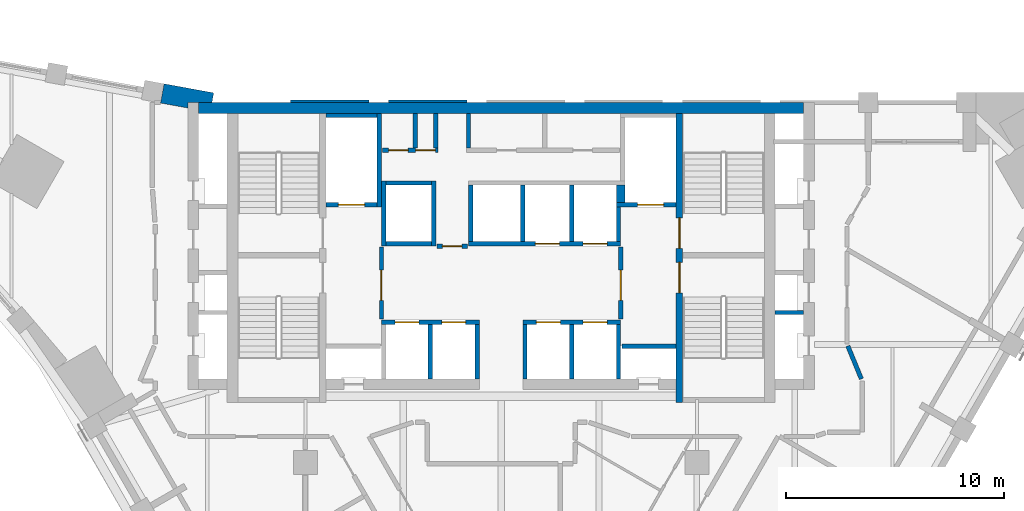
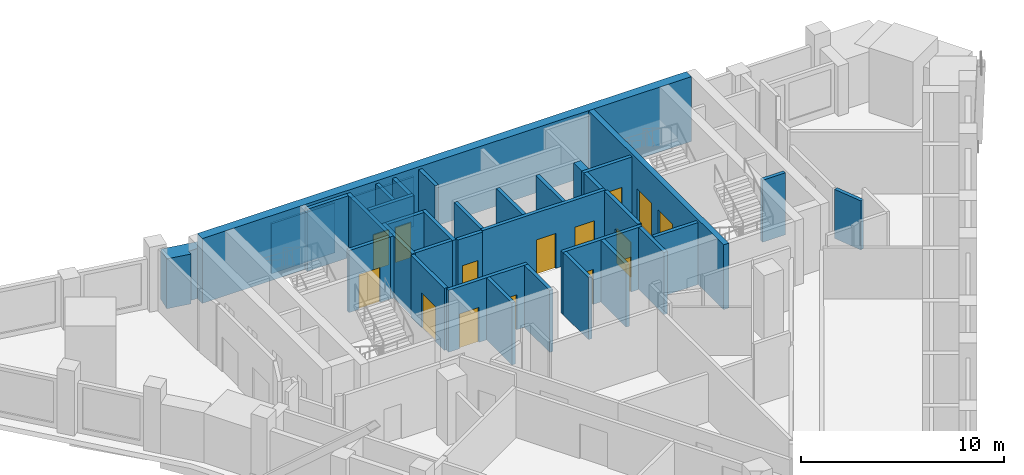
# One storey, part 6 of 9: 36 walls, 15 doors, 15 openings.
"""IFC4 building model written with IfcOpenShell, lengths in metres."""

from ifc_helpers import new_model, si_unit, direction, frame, frame_2d, origin, place, context, subcontext, project, spatial, polyline, rectangle, outline, extrude, material, layer, layer_set, type_object, element, fill, save


model = new_model("IFC4")

# Units and contexts
model_context = context("Model", 3, precision=1e-05, world=origin(), true_north=direction((0.0, 1.0)))
body_context = subcontext(model_context, "Body", "Model", "MODEL_VIEW")
ifc_project = project(units=[si_unit("LENGTHUNIT", "METRE"), si_unit("AREAUNIT", "SQUARE_METRE"), si_unit("VOLUMEUNIT", "CUBIC_METRE"), si_unit("PLANEANGLEUNIT", "RADIAN"), si_unit("MASSUNIT", "GRAM", prefix="KILO")], contexts=[model_context])

# Site, building, storey
site_placement = place(None, origin())
site = spatial("IfcSite", under=ifc_project, at=site_placement, CompositionType="ELEMENT")
building_placement = place(site_placement, origin())
building = spatial("IfcBuilding", under=site, at=building_placement, Name="Calabash Gate Tower", CompositionType="ELEMENT")
storey_placement = place(building_placement, frame((0.0, 0.0, 196.39990234375)))
storey = spatial("IfcBuildingStorey", under=building, at=storey_placement, Name="L46", CompositionType="ELEMENT", Elevation=196.39990234375)

# Walls
ifc_material_1 = material(Name="Terracotta brick masonry, exposed face", Category="masonry")
ifc_layer_1 = layer(ifc_material_1, 0.89990234375)
ifc_layer_set_1 = layer_set([ifc_layer_1], Name="Brick end wall 900")
wall_type_1 = type_object("IfcWallType", Name="Brick end wall 900", PredefinedType="SOLIDWALL", material=ifc_layer_set_1)
wall_1_placement = place(storey_placement, origin())
element("IfcWall", 1, at=wall_1_placement, inside=storey, type_object=wall_type_1, Name="Brick end wall S13 1", PredefinedType="SOLIDWALL", context=body_context, shape_type="SweptSolid", body=[
    extrude(outline(polyline([(-15.651611328125, 19.02734375), (-15.65185546875, 19.027099609375), (-14.39990234375, 18.798095703125), (-14.39990234375, 19.052490234375), (-13.291015625, 19.052490234375), (-13.2099609375, 19.4951171875), (-15.489501953125, 19.912353515625), (-15.6513671875, 19.02734375), (-15.651611328125, 19.02734375)])), origin(), (0.0, 0.0, 1.0), 3.0),
])
ifc_material_2 = material(Name="Gypsum board on steel studs, mineral wool", Category="steel")
ifc_layer_2 = layer(ifc_material_2, 0.199951171875)
ifc_layer_set_2 = layer_set([ifc_layer_2], Name="Core partition 200 gypsum board")
wall_type_2 = type_object("IfcWallType", Name="Core partition 200 gypsum board", PredefinedType="PARTITIONING", material=ifc_layer_set_2)
for number, where, z_axis, x_axis, name in (
    (2, (-3.949951171875, 16.95263671875, 0.0), (0.0, 0.0, 1.0), (0.0, 1.0, 0.0), "Core partition"),
    (3, (-3.0, 16.95263671875, 0.0), (0.0, 0.0, 1.0), (0.0, 1.0, 0.0), "Core partition"),
    (4, (-1.5, 16.95263671875, 0.0), (0.0, 0.0, 1.0), (0.0, 1.0, 0.0), "Core partition"),
):
    element("IfcWall", number, at=place(storey_placement, frame(where, z_axis=z_axis, x_axis=x_axis)), inside=storey, type_object=wall_type_2, Name=name, PredefinedType="PARTITIONING", context=body_context, shape_type="SweptSolid", body=[
        extrude(rectangle(XDim=1.599853515625, YDim=0.199951171875, at=frame_2d((0.7998046875, 0.0))), origin(), (0.0, 0.0, 1.0), 3.72998046875),
    ])

# Wall, openings, doors
ifc_material_3 = material(Name="Concrete C70/85", Category="concrete")
ifc_layer_3 = layer(ifc_material_3, 0.300048828125)
ifc_layer_set_3 = layer_set([ifc_layer_3], Name="Core wall 300 Concrete C70/85")
wall_type_3 = type_object("IfcWallType", Name="Core wall 300 Concrete C70/85", PredefinedType="SHEAR", material=ifc_layer_set_3)
wall_2_placement = place(storey_placement, frame((8.199951171875, 5.252685546875, 0.0), z_axis=(0.0, 0.0, 1.0), x_axis=(0.0, 1.0, 0.0)))
wall_2 = element("IfcWall", 5, at=wall_2_placement, inside=storey, type_object=wall_type_3, Name="Core wall Z4-PARTE L46", PredefinedType="SHEAR", context=body_context, shape_type="SweptSolid", body=[
    extrude(rectangle(XDim=13.2998046875, YDim=0.300048828125, at=frame_2d((6.64990234375, 0.0))), origin(), (0.0, 0.0, 1.0), 3.900146484375),
])
opening_1_placement = place(wall_2_placement, frame((7.10009765625, 0.0, 0.0)))
opening_1 = element("IfcOpeningElement", 6, at=opening_1_placement, cuts=wall_2, Name="Opening O5-020", PredefinedType="OPENING", context=body_context, shape_type="SweptSolid", body=[
    extrude(rectangle(XDim=1.39990234375, YDim=2.10009765625, at=frame_2d((0.699951171875, 1.050048828125))), frame((0.0, 0.159912109375, 0.0), z_axis=(0.0, -1.0, 0.0), x_axis=(1.0, 0.0, 0.0)), (0.0, 0.0, 1.0), 0.320068359375),
])
opening_2_placement = place(wall_2_placement, frame((5.050048828125, 0.0, 0.0)))
opening_2 = element("IfcOpeningElement", 7, at=opening_2_placement, cuts=wall_2, Name="Opening O5-021", PredefinedType="OPENING", context=body_context, shape_type="SweptSolid", body=[
    extrude(rectangle(XDim=1.39990234375, YDim=2.10009765625, at=frame_2d((0.699951171875, 1.050048828125))), frame((0.0, 0.159912109375, 0.0), z_axis=(0.0, -1.0, 0.0), x_axis=(1.0, 0.0, 0.0)), (0.0, 0.0, 1.0), 0.320068359375),
])
ifc_material_4 = material(Name="Steel fire door set with fire-resisting glazing", Category="steel")
door_type_1 = type_object("IfcDoorType", Name="Fire door D05 1400x2100 FD90", OperationType="NOTDEFINED", PredefinedType="DOOR", material=ifc_material_4)
door_1_placement = place(opening_1_placement, origin())
door_1 = element("IfcDoor", 8, at=door_1_placement, inside=storey, type_object=door_type_1, Name="Exit stair door ST3", OperationType="SINGLE_SWING_RIGHT", OverallHeight=2.10009765625, OverallWidth=1.39990234375, PredefinedType="DOOR", context=body_context, shape_type="SweptSolid", body=[
    extrude(rectangle(XDim=1.39990234375, YDim=2.10009765625, at=frame_2d((0.699951171875, 1.050048828125))), frame((0.0, 0.02490234375, 0.0), z_axis=(0.0, -1.0, 0.0), x_axis=(1.0, 0.0, 0.0)), (0.0, 0.0, 1.0), 0.050048828125),
])
fill(opening_1, door_1)
door_2_placement = place(opening_2_placement, origin())
door_2 = element("IfcDoor", 9, at=door_2_placement, inside=storey, type_object=door_type_1, Name="Exit stair door ST4", OperationType="SINGLE_SWING_LEFT", OverallHeight=2.10009765625, OverallWidth=1.39990234375, PredefinedType="DOOR", context=body_context, shape_type="SweptSolid", body=[
    extrude(rectangle(XDim=1.39990234375, YDim=2.10009765625, at=frame_2d((0.699951171875, 1.050048828125))), frame((0.0, 0.02490234375, 0.0), z_axis=(0.0, -1.0, 0.0), x_axis=(1.0, 0.0, 0.0)), (0.0, 0.0, 1.0), 0.050048828125),
])
fill(opening_2, door_2)

# Walls
ifc_material_5 = material(Name="Concrete C70/85", Category="concrete")
ifc_layer_4 = layer(ifc_material_5, 0.5)
ifc_layer_set_4 = layer_set([ifc_layer_4], Name="Core wall 500 Concrete C70/85")
wall_type_4 = type_object("IfcWallType", Name="Core wall 500 Concrete C70/85", PredefinedType="SHEAR", material=ifc_layer_set_4)
wall_3_placement = place(storey_placement, frame((-13.89990234375, 18.802490234375, 0.0), z_axis=(0.0, 0.0, 1.0), x_axis=(1.0, 0.0, 0.0)))
element("IfcWall", 10, at=wall_3_placement, inside=storey, type_object=wall_type_4, Name="Core wall Z4-N L46", PredefinedType="SHEAR", context=body_context, shape_type="SweptSolid", body=[
    extrude(rectangle(XDim=27.7998046875, YDim=0.5, at=frame_2d((13.89990234375, 0.0))), origin(), (0.0, 0.0, 1.0), 3.900146484375),
])
ifc_material_6 = material(Name="Gypsum board on steel studs, mineral wool", Category="steel")
ifc_layer_5 = layer(ifc_material_6, 0.199951171875)
ifc_layer_set_5 = layer_set([ifc_layer_5], Name="Partition 200 gypsum board EI 60")
wall_type_5 = type_object("IfcWallType", Name="Partition 200 gypsum board EI 60", PredefinedType="PARTITIONING", material=ifc_layer_set_5)
wall_4_placement = place(storey_placement, frame((15.938720703125, 7.860107421875, 0.0), z_axis=(0.0, 0.0, 1.0), x_axis=(0.380749805254, -0.924678098475, 0.0)))
element("IfcWall", 11, at=wall_4_placement, inside=storey, type_object=wall_type_5, Name="Partition", PredefinedType="PARTITIONING", context=body_context, shape_type="SweptSolid", body=[
    extrude(rectangle(XDim=1.63818359375, YDim=0.199951171875, at=frame_2d((0.819091796875, 0.0))), origin(), (0.0, 0.0, 1.0), 2.9501953125),
])
ifc_material_7 = material(Name="Concrete C40/50", Category="concrete")
ifc_layer_6 = layer(ifc_material_7, 0.199951171875)
ifc_layer_set_6 = layer_set([ifc_layer_6], Name="Shaft wall 200 Concrete C40/50")
wall_type_6 = type_object("IfcWallType", Name="Shaft wall 200 Concrete C40/50", PredefinedType="SOLIDWALL", material=ifc_layer_set_6)
for number, where, z_axis, x_axis, name in (
    (12, (-3.25, 6.3525390625, 0.0), (0.0, 0.0, 1.0), (0.0, 1.0, 0.0), "Shaft wall"),
    (13, (-1.10009765625, 6.3525390625, 0.0), (0.0, 0.0, 1.0), (0.0, 1.0, 0.0), "Shaft wall"),
    (14, (1.10009765625, 6.3525390625, 0.0), (0.0, 0.0, 1.0), (0.0, 1.0, 0.0), "Shaft wall"),
    (15, (3.25, 6.3525390625, 0.0), (0.0, 0.0, 1.0), (0.0, 1.0, 0.0), "Shaft wall"),
    (16, (5.39990234375, 6.3525390625, 0.0), (0.0, 0.0, 1.0), (0.0, 1.0, 0.0), "Shaft wall"),
    (17, (5.550048828125, 7.8525390625, 0.0), (0.0, 0.0, 1.0), (1.0, 0.0, 0.0), "Shaft wall"),
):
    element("IfcWall", number, at=place(storey_placement, frame(where, z_axis=z_axis, x_axis=x_axis)), inside=storey, type_object=wall_type_6, Name=name, PredefinedType="SOLIDWALL", context=body_context, shape_type="SweptSolid", body=[
        extrude(rectangle(XDim=2.5, YDim=0.199951171875, at=frame_2d((1.25, 0.0))), origin(), (0.0, 0.0, 1.0), 3.72998046875),
    ])

# Wall, openings, doors
wall_5_placement = place(storey_placement, frame((-5.5, 8.95263671875, 0.0), z_axis=(0.0, 0.0, 1.0), x_axis=(1.0, 0.0, 0.0)))
wall_5 = element("IfcWall", 18, at=wall_5_placement, inside=storey, type_object=wall_type_6, Name="Shaft wall", PredefinedType="SOLIDWALL", context=body_context, shape_type="SweptSolid", body=[
    extrude(rectangle(XDim=4.5, YDim=0.199951171875, at=frame_2d((2.25, 0.0))), origin(), (0.0, 0.0, 1.0), 3.72998046875),
])
opening_3_placement = place(wall_5_placement, frame((0.625, 0.0, 0.0)))
opening_3 = element("IfcOpeningElement", 19, at=opening_3_placement, cuts=wall_5, Name="Opening LD-HR1", PredefinedType="OPENING", context=body_context, shape_type="SweptSolid", body=[
    extrude(rectangle(XDim=1.10009765625, YDim=2.10009765625, at=frame_2d((0.550048828125, 1.050048828125))), frame((0.0, 0.10986328125, 0.0), z_axis=(0.0, -1.0, 0.0), x_axis=(1.0, 0.0, 0.0)), (0.0, 0.0, 1.0), 0.219970703125),
])
opening_4_placement = place(wall_5_placement, frame((2.77490234375, 0.0, 0.0)))
opening_4 = element("IfcOpeningElement", 20, at=opening_4_placement, cuts=wall_5, Name="Opening LD-HR2", PredefinedType="OPENING", context=body_context, shape_type="SweptSolid", body=[
    extrude(rectangle(XDim=1.10009765625, YDim=2.10009765625, at=frame_2d((0.550048828125, 1.050048828125))), frame((0.0, 0.10986328125, 0.0), z_axis=(0.0, -1.0, 0.0), x_axis=(1.0, 0.0, 0.0)), (0.0, 0.0, 1.0), 0.219970703125),
])
ifc_material_8 = material(Name="Stainless steel sliding door leaves", Category="steel")
door_type_2 = type_object("IfcDoorType", Name="Lift landing door LS1 1100x2100 FD90", OperationType="DOUBLE_DOOR_SLIDING", PredefinedType="DOOR", material=ifc_material_8)
door_3_placement = place(opening_3_placement, origin())
door_3 = element("IfcDoor", 21, at=door_3_placement, inside=storey, type_object=door_type_2, Name="Lift landing door HR1", OperationType="DOUBLE_DOOR_SLIDING", OverallHeight=2.10009765625, OverallWidth=1.10009765625, PredefinedType="DOOR", context=body_context, shape_type="SweptSolid", body=[
    extrude(rectangle(XDim=1.10009765625, YDim=2.10009765625, at=frame_2d((0.550048828125, 1.050048828125))), frame((0.0, 0.02490234375, 0.0), z_axis=(0.0, -1.0, 0.0), x_axis=(1.0, 0.0, 0.0)), (0.0, 0.0, 1.0), 0.050048828125),
])
fill(opening_3, door_3)
door_4_placement = place(opening_4_placement, origin())
door_4 = element("IfcDoor", 22, at=door_4_placement, inside=storey, type_object=door_type_2, Name="Lift landing door HR2", OperationType="DOUBLE_DOOR_SLIDING", OverallHeight=2.10009765625, OverallWidth=1.10009765625, PredefinedType="DOOR", context=body_context, shape_type="SweptSolid", body=[
    extrude(rectangle(XDim=1.10009765625, YDim=2.10009765625, at=frame_2d((0.550048828125, 1.050048828125))), frame((0.0, 0.02490234375, 0.0), z_axis=(0.0, -1.0, 0.0), x_axis=(1.0, 0.0, 0.0)), (0.0, 0.0, 1.0), 0.050048828125),
])
fill(opening_4, door_4)

wall_6_placement = place(storey_placement, frame((1.0, 8.95263671875, 0.0), z_axis=(0.0, 0.0, 1.0), x_axis=(1.0, 0.0, 0.0)))
wall_6 = element("IfcWall", 23, at=wall_6_placement, inside=storey, type_object=wall_type_6, Name="Shaft wall", PredefinedType="SOLIDWALL", context=body_context, shape_type="SweptSolid", body=[
    extrude(rectangle(XDim=4.5, YDim=0.199951171875, at=frame_2d((2.25, 0.0))), origin(), (0.0, 0.0, 1.0), 3.72998046875),
])
opening_5_placement = place(wall_6_placement, frame((0.625, 0.0, 0.0)))
opening_5 = element("IfcOpeningElement", 24, at=opening_5_placement, cuts=wall_6, Name="Opening LD-HR3", PredefinedType="OPENING", context=body_context, shape_type="SweptSolid", body=[
    extrude(rectangle(XDim=1.10009765625, YDim=2.10009765625, at=frame_2d((0.550048828125, 1.050048828125))), frame((0.0, 0.10986328125, 0.0), z_axis=(0.0, -1.0, 0.0), x_axis=(1.0, 0.0, 0.0)), (0.0, 0.0, 1.0), 0.219970703125),
])
opening_6_placement = place(wall_6_placement, frame((2.77490234375, 0.0, 0.0)))
opening_6 = element("IfcOpeningElement", 25, at=opening_6_placement, cuts=wall_6, Name="Opening LD-HR4", PredefinedType="OPENING", context=body_context, shape_type="SweptSolid", body=[
    extrude(rectangle(XDim=1.10009765625, YDim=2.10009765625, at=frame_2d((0.550048828125, 1.050048828125))), frame((0.0, 0.10986328125, 0.0), z_axis=(0.0, -1.0, 0.0), x_axis=(1.0, 0.0, 0.0)), (0.0, 0.0, 1.0), 0.219970703125),
])
door_5_placement = place(opening_5_placement, origin())
door_5 = element("IfcDoor", 26, at=door_5_placement, inside=storey, type_object=door_type_2, Name="Lift landing door HR3", OperationType="DOUBLE_DOOR_SLIDING", OverallHeight=2.10009765625, OverallWidth=1.10009765625, PredefinedType="DOOR", context=body_context, shape_type="SweptSolid", body=[
    extrude(rectangle(XDim=1.10009765625, YDim=2.10009765625, at=frame_2d((0.550048828125, 1.050048828125))), frame((0.0, 0.02490234375, 0.0), z_axis=(0.0, -1.0, 0.0), x_axis=(1.0, 0.0, 0.0)), (0.0, 0.0, 1.0), 0.050048828125),
])
fill(opening_5, door_5)
door_6_placement = place(opening_6_placement, origin())
door_6 = element("IfcDoor", 27, at=door_6_placement, inside=storey, type_object=door_type_2, Name="Lift landing door HR4", OperationType="DOUBLE_DOOR_SLIDING", OverallHeight=2.10009765625, OverallWidth=1.10009765625, PredefinedType="DOOR", context=body_context, shape_type="SweptSolid", body=[
    extrude(rectangle(XDim=1.10009765625, YDim=2.10009765625, at=frame_2d((0.550048828125, 1.050048828125))), frame((0.0, 0.02490234375, 0.0), z_axis=(0.0, -1.0, 0.0), x_axis=(1.0, 0.0, 0.0)), (0.0, 0.0, 1.0), 0.050048828125),
])
fill(opening_6, door_6)

# Wall, opening, door
wall_7_placement = place(storey_placement, frame((-5.5, 9.1025390625, 0.0), z_axis=(0.0, 0.0, 1.0), x_axis=(0.0, 1.0, 0.0)))
wall_7 = element("IfcWall", 28, at=wall_7_placement, inside=storey, type_object=wall_type_6, Name="Shaft wall", PredefinedType="SOLIDWALL", context=body_context, shape_type="SweptSolid", body=[
    extrude(rectangle(XDim=3.300048828125, YDim=0.199951171875, at=frame_2d((1.64990234375, 0.0))), origin(), (0.0, 0.0, 1.0), 3.72998046875),
])
opening_7_placement = place(wall_7_placement, frame((0.85009765625, 0.0, 0.0)))
opening_7 = element("IfcOpeningElement", 29, at=opening_7_placement, cuts=wall_7, Name="Opening O5-011", PredefinedType="OPENING", context=body_context, shape_type="SweptSolid", body=[
    extrude(rectangle(XDim=1.39990234375, YDim=2.10009765625, at=frame_2d((0.699951171875, 1.050048828125))), frame((0.0, 0.10986328125, 0.0), z_axis=(0.0, -1.0, 0.0), x_axis=(1.0, 0.0, 0.0)), (0.0, 0.0, 1.0), 0.219970703125),
])
door_7_placement = place(opening_7_placement, origin())
door_7 = element("IfcDoor", 30, at=door_7_placement, inside=storey, type_object=door_type_1, Name="Firefighting Lobby W door", OperationType="SINGLE_SWING_RIGHT", OverallHeight=2.10009765625, OverallWidth=1.39990234375, PredefinedType="DOOR", context=body_context, shape_type="SweptSolid", body=[
    extrude(rectangle(XDim=1.39990234375, YDim=2.10009765625, at=frame_2d((0.699951171875, 1.050048828125))), frame((0.0, 0.02490234375, 0.0), z_axis=(0.0, -1.0, 0.0), x_axis=(1.0, 0.0, 0.0)), (0.0, 0.0, 1.0), 0.050048828125),
])
fill(opening_7, door_7)

wall_8_placement = place(storey_placement, frame((5.5, 9.1025390625, 0.0), z_axis=(0.0, 0.0, 1.0), x_axis=(0.0, 1.0, 0.0)))
wall_8 = element("IfcWall", 31, at=wall_8_placement, inside=storey, type_object=wall_type_6, Name="Shaft wall", PredefinedType="SOLIDWALL", context=body_context, shape_type="SweptSolid", body=[
    extrude(rectangle(XDim=3.300048828125, YDim=0.199951171875, at=frame_2d((1.64990234375, 0.0))), origin(), (0.0, 0.0, 1.0), 3.72998046875),
])
opening_8_placement = place(wall_8_placement, frame((0.85009765625, 0.0, 0.0)))
opening_8 = element("IfcOpeningElement", 32, at=opening_8_placement, cuts=wall_8, Name="Opening O5-010", PredefinedType="OPENING", context=body_context, shape_type="SweptSolid", body=[
    extrude(rectangle(XDim=1.39990234375, YDim=2.10009765625, at=frame_2d((0.699951171875, 1.050048828125))), frame((0.0, 0.10986328125, 0.0), z_axis=(0.0, -1.0, 0.0), x_axis=(1.0, 0.0, 0.0)), (0.0, 0.0, 1.0), 0.219970703125),
])
door_8_placement = place(opening_8_placement, origin())
door_8 = element("IfcDoor", 33, at=door_8_placement, inside=storey, type_object=door_type_1, Name="Firefighting Lobby E door", OperationType="SINGLE_SWING_LEFT", OverallHeight=2.10009765625, OverallWidth=1.39990234375, PredefinedType="DOOR", context=body_context, shape_type="SweptSolid", body=[
    extrude(rectangle(XDim=1.39990234375, YDim=2.10009765625, at=frame_2d((0.699951171875, 1.050048828125))), frame((0.0, 0.02490234375, 0.0), z_axis=(0.0, -1.0, 0.0), x_axis=(1.0, 0.0, 0.0)), (0.0, 0.0, 1.0), 0.050048828125),
])
fill(opening_8, door_8)

# Wall
wall_9_placement = place(storey_placement, frame((12.60009765625, 9.402587890625, 0.0), z_axis=(0.0, 0.0, 1.0), x_axis=(1.0, 0.0, 0.0)))
element("IfcWall", 34, at=wall_9_placement, inside=storey, type_object=wall_type_6, Name="Shaft wall", PredefinedType="SOLIDWALL", context=body_context, shape_type="SweptSolid", body=[
    extrude(rectangle(XDim=1.2998046875, YDim=0.199951171875, at=frame_2d((0.64990234375, 0.0))), origin(), (0.0, 0.0, 1.0), 3.72998046875),
])

# Wall, opening, door
wall_10_placement = place(storey_placement, frame((-2.949951171875, 12.45263671875, 0.0), z_axis=(0.0, 0.0, 1.0), x_axis=(1.0, 0.0, 0.0)))
wall_10 = element("IfcWall", 35, at=wall_10_placement, inside=storey, type_object=wall_type_6, Name="Shaft wall", PredefinedType="SOLIDWALL", context=body_context, shape_type="SweptSolid", body=[
    extrude(rectangle(XDim=1.39990234375, YDim=0.199951171875, at=frame_2d((0.699951171875, 0.0))), origin(), (0.0, 0.0, 1.0), 3.72998046875),
])
opening_9_placement = place(wall_10_placement, frame((0.25, 0.0, 0.0)))
opening_9 = element("IfcOpeningElement", 36, at=opening_9_placement, cuts=wall_10, Name="Opening O5-009", PredefinedType="OPENING", context=body_context, shape_type="SweptSolid", body=[
    extrude(rectangle(XDim=0.89990234375, YDim=2.10009765625, at=frame_2d((0.449951171875, 1.050048828125))), frame((0.0, 0.10986328125, 0.0), z_axis=(0.0, -1.0, 0.0), x_axis=(1.0, 0.0, 0.0)), (0.0, 0.0, 1.0), 0.219970703125),
])
ifc_material_9 = material(Name="Steel fire door set with fire-resisting glazing", Category="steel")
door_type_3 = type_object("IfcDoorType", Name="Fire door D06 900x2100 FD60", OperationType="NOTDEFINED", PredefinedType="DOOR", material=ifc_material_9)
door_9_placement = place(opening_9_placement, origin())
door_9 = element("IfcDoor", 37, at=door_9_placement, inside=storey, type_object=door_type_3, Name="Service Corridor door", OperationType="SINGLE_SWING_RIGHT", OverallHeight=2.10009765625, OverallWidth=0.89990234375, PredefinedType="DOOR", context=body_context, shape_type="SweptSolid", body=[
    extrude(rectangle(XDim=0.89990234375, YDim=2.10009765625, at=frame_2d((0.449951171875, 1.050048828125))), frame((0.0, 0.02490234375, 0.0), z_axis=(0.0, -1.0, 0.0), x_axis=(1.0, 0.0, 0.0)), (0.0, 0.0, 1.0), 0.050048828125),
])
fill(opening_9, door_9)

# Walls
wall_11_placement = place(storey_placement, frame((-5.39990234375, 12.45263671875, 0.0), z_axis=(0.0, 0.0, 1.0), x_axis=(0.0, 1.0, 0.0)))
element("IfcWall", 38, at=wall_11_placement, inside=storey, type_object=wall_type_6, Name="Shaft wall", PredefinedType="SOLIDWALL", context=body_context, shape_type="SweptSolid", body=[
    extrude(rectangle(XDim=3.0, YDim=0.199951171875, at=frame_2d((1.5, 0.0))), origin(), (0.0, 0.0, 1.0), 3.72998046875),
])
wall_12_placement = place(storey_placement, frame((-5.300048828125, 12.552490234375, 0.0), z_axis=(0.0, 0.0, 1.0), x_axis=(1.0, 0.0, 0.0)))
element("IfcWall", 39, at=wall_12_placement, inside=storey, type_object=wall_type_6, Name="Shaft wall", PredefinedType="SOLIDWALL", context=body_context, shape_type="SweptSolid", body=[
    extrude(rectangle(XDim=2.10009765625, YDim=0.199951171875, at=frame_2d((1.050048828125, 0.0))), origin(), (0.0, 0.0, 1.0), 3.72998046875),
])
wall_13_placement = place(storey_placement, frame((-3.10009765625, 12.45263671875, 0.0), z_axis=(0.0, 0.0, 1.0), x_axis=(0.0, 1.0, 0.0)))
element("IfcWall", 40, at=wall_13_placement, inside=storey, type_object=wall_type_6, Name="Shaft wall", PredefinedType="SOLIDWALL", context=body_context, shape_type="SweptSolid", body=[
    extrude(rectangle(XDim=3.0, YDim=0.199951171875, at=frame_2d((1.5, 0.0))), origin(), (0.0, 0.0, 1.0), 3.72998046875),
])

# Wall, openings, doors
wall_14_placement = place(storey_placement, frame((-1.5, 12.552490234375, 0.0), z_axis=(0.0, 0.0, 1.0), x_axis=(1.0, 0.0, 0.0)))
wall_14 = element("IfcWall", 41, at=wall_14_placement, inside=storey, type_object=wall_type_6, Name="Shaft wall", PredefinedType="SOLIDWALL", context=body_context, shape_type="SweptSolid", body=[
    extrude(rectangle(XDim=7.0, YDim=0.199951171875, at=frame_2d((3.5, 0.0))), origin(), (0.0, 0.0, 1.0), 3.72998046875),
])
opening_10_placement = place(wall_14_placement, frame((3.074951171875, 0.0, 0.0)))
opening_10 = element("IfcOpeningElement", 42, at=opening_10_placement, cuts=wall_14, Name="Opening LD-HR5", PredefinedType="OPENING", context=body_context, shape_type="SweptSolid", body=[
    extrude(rectangle(XDim=1.10009765625, YDim=2.10009765625, at=frame_2d((0.550048828125, 1.050048828125))), frame((0.0, 0.10986328125, 0.0), z_axis=(0.0, -1.0, 0.0), x_axis=(1.0, 0.0, 0.0)), (0.0, 0.0, 1.0), 0.219970703125),
])
opening_11_placement = place(wall_14_placement, frame((5.27490234375, 0.0, 0.0)))
opening_11 = element("IfcOpeningElement", 43, at=opening_11_placement, cuts=wall_14, Name="Opening LD-HR6", PredefinedType="OPENING", context=body_context, shape_type="SweptSolid", body=[
    extrude(rectangle(XDim=1.10009765625, YDim=2.10009765625, at=frame_2d((0.550048828125, 1.050048828125))), frame((0.0, 0.10986328125, 0.0), z_axis=(0.0, -1.0, 0.0), x_axis=(1.0, 0.0, 0.0)), (0.0, 0.0, 1.0), 0.219970703125),
])
door_10_placement = place(opening_10_placement, origin())
door_10 = element("IfcDoor", 44, at=door_10_placement, inside=storey, type_object=door_type_2, Name="Lift landing door HR5", OperationType="DOUBLE_DOOR_SLIDING", OverallHeight=2.10009765625, OverallWidth=1.10009765625, PredefinedType="DOOR", context=body_context, shape_type="SweptSolid", body=[
    extrude(rectangle(XDim=1.10009765625, YDim=2.10009765625, at=frame_2d((0.550048828125, 1.050048828125))), frame((0.0, 0.02490234375, 0.0), z_axis=(0.0, -1.0, 0.0), x_axis=(1.0, 0.0, 0.0)), (0.0, 0.0, 1.0), 0.050048828125),
])
fill(opening_10, door_10)
door_11_placement = place(opening_11_placement, origin())
door_11 = element("IfcDoor", 45, at=door_11_placement, inside=storey, type_object=door_type_2, Name="Lift landing door HR6", OperationType="DOUBLE_DOOR_SLIDING", OverallHeight=2.10009765625, OverallWidth=1.10009765625, PredefinedType="DOOR", context=body_context, shape_type="SweptSolid", body=[
    extrude(rectangle(XDim=1.10009765625, YDim=2.10009765625, at=frame_2d((0.550048828125, 1.050048828125))), frame((0.0, 0.02490234375, 0.0), z_axis=(0.0, -1.0, 0.0), x_axis=(1.0, 0.0, 0.0)), (0.0, 0.0, 1.0), 0.050048828125),
])
fill(opening_11, door_11)

# Walls
for number, where, z_axis, x_axis, name in (
    (46, (-1.39990234375, 12.652587890625, 0.0), (0.0, 0.0, 1.0), (0.0, 1.0, 0.0), "Shaft wall"),
    (47, (1.0, 12.652587890625, 0.0), (0.0, 0.0, 1.0), (0.0, 1.0, 0.0), "Shaft wall"),
    (48, (3.25, 12.652587890625, 0.0), (0.0, 0.0, 1.0), (0.0, 1.0, 0.0), "Shaft wall"),
):
    element("IfcWall", number, at=place(storey_placement, frame(where, z_axis=z_axis, x_axis=x_axis)), inside=storey, type_object=wall_type_6, Name=name, PredefinedType="SOLIDWALL", context=body_context, shape_type="SweptSolid", body=[
        extrude(rectangle(XDim=2.60009765625, YDim=0.199951171875, at=frame_2d((1.300048828125, 0.0))), origin(), (0.0, 0.0, 1.0), 3.72998046875),
    ])
wall_15_placement = place(storey_placement, frame((5.39990234375, 12.652587890625, 0.0), z_axis=(0.0, 0.0, 1.0), x_axis=(0.0, 1.0, 0.0)))
element("IfcWall", 49, at=wall_15_placement, inside=storey, type_object=wall_type_6, Name="Shaft wall", PredefinedType="SOLIDWALL", context=body_context, shape_type="SweptSolid", body=[
    extrude(rectangle(XDim=1.60009765625, YDim=0.199951171875, at=frame_2d((0.800048828125, 0.0))), origin(), (0.0, 0.0, 1.0), 3.72998046875),
])

# Wall, opening, door
wall_16_placement = place(storey_placement, frame((-8.050048828125, 14.3525390625, 0.0), z_axis=(0.0, 0.0, 1.0), x_axis=(1.0, 0.0, 0.0)))
wall_16 = element("IfcWall", 50, at=wall_16_placement, inside=storey, type_object=wall_type_6, Name="Shaft wall", PredefinedType="SOLIDWALL", context=body_context, shape_type="SweptSolid", body=[
    extrude(rectangle(XDim=2.35009765625, YDim=0.199951171875, at=frame_2d((1.175048828125, 0.0))), origin(), (0.0, 0.0, 1.0), 3.72998046875),
])
opening_12_placement = place(wall_16_placement, frame((0.574951171875, 0.0, 0.0)))
opening_12 = element("IfcOpeningElement", 51, at=opening_12_placement, cuts=wall_16, Name="Opening LD-FF1", PredefinedType="OPENING", context=body_context, shape_type="SweptSolid", body=[
    extrude(rectangle(XDim=1.199951171875, YDim=2.10009765625, at=frame_2d((0.60009765625, 1.050048828125))), frame((0.0, 0.10986328125, 0.0), z_axis=(0.0, -1.0, 0.0), x_axis=(1.0, 0.0, 0.0)), (0.0, 0.0, 1.0), 0.219970703125),
])
ifc_material_10 = material(Name="Stainless steel sliding door leaves", Category="steel")
door_type_4 = type_object("IfcDoorType", Name="Lift landing door LS3 1200x2100 FD90", OperationType="DOUBLE_DOOR_SLIDING", PredefinedType="DOOR", material=ifc_material_10)
door_12_placement = place(opening_12_placement, origin())
door_12 = element("IfcDoor", 52, at=door_12_placement, inside=storey, type_object=door_type_4, Name="Lift landing door FF1", OperationType="DOUBLE_DOOR_SLIDING", OverallHeight=2.10009765625, OverallWidth=1.199951171875, PredefinedType="DOOR", context=body_context, shape_type="SweptSolid", body=[
    extrude(rectangle(XDim=1.199951171875, YDim=2.10009765625, at=frame_2d((0.60009765625, 1.050048828125))), frame((0.0, 0.02490234375, 0.0), z_axis=(0.0, -1.0, 0.0), x_axis=(1.0, 0.0, 0.0)), (0.0, 0.0, 1.0), 0.050048828125),
])
fill(opening_12, door_12)

# Wall
wall_17_placement = place(storey_placement, frame((-5.60009765625, 14.252685546875, 0.0), z_axis=(0.0, 0.0, 1.0), x_axis=(0.0, 1.0, 0.0)))
element("IfcWall", 53, at=wall_17_placement, inside=storey, type_object=wall_type_6, Name="Shaft wall", PredefinedType="SOLIDWALL", context=body_context, shape_type="SweptSolid", body=[
    extrude(rectangle(XDim=4.2998046875, YDim=0.199951171875, at=frame_2d((2.14990234375, 0.0))), origin(), (0.0, 0.0, 1.0), 3.72998046875),
])

# Wall, opening, door
wall_18_placement = place(storey_placement, frame((5.300048828125, 14.3525390625, 0.0), z_axis=(0.0, 0.0, 1.0), x_axis=(1.0, 0.0, 0.0)))
wall_18 = element("IfcWall", 54, at=wall_18_placement, inside=storey, type_object=wall_type_6, Name="Shaft wall", PredefinedType="SOLIDWALL", context=body_context, shape_type="SweptSolid", body=[
    extrude(rectangle(XDim=2.75, YDim=0.199951171875, at=frame_2d((1.375, 0.0))), origin(), (0.0, 0.0, 1.0), 3.72998046875),
])
opening_13_placement = place(wall_18_placement, frame((0.97509765625, 0.0, 0.0)))
opening_13 = element("IfcOpeningElement", 55, at=opening_13_placement, cuts=wall_18, Name="Opening LD-FF2", PredefinedType="OPENING", context=body_context, shape_type="SweptSolid", body=[
    extrude(rectangle(XDim=1.199951171875, YDim=2.10009765625, at=frame_2d((0.60009765625, 1.050048828125))), frame((0.0, 0.10986328125, 0.0), z_axis=(0.0, -1.0, 0.0), x_axis=(1.0, 0.0, 0.0)), (0.0, 0.0, 1.0), 0.219970703125),
])
door_13_placement = place(opening_13_placement, origin())
door_13 = element("IfcDoor", 56, at=door_13_placement, inside=storey, type_object=door_type_4, Name="Lift landing door FF2", OperationType="DOUBLE_DOOR_SLIDING", OverallHeight=2.10009765625, OverallWidth=1.199951171875, PredefinedType="DOOR", context=body_context, shape_type="SweptSolid", body=[
    extrude(rectangle(XDim=1.199951171875, YDim=2.10009765625, at=frame_2d((0.60009765625, 1.050048828125))), frame((0.0, 0.02490234375, 0.0), z_axis=(0.0, -1.0, 0.0), x_axis=(1.0, 0.0, 0.0)), (0.0, 0.0, 1.0), 0.050048828125),
])
fill(opening_13, door_13)

# Walls
wall_19_placement = place(storey_placement, frame((5.5, 14.45263671875, 0.0), z_axis=(0.0, 0.0, 1.0), x_axis=(0.0, 1.0, 0.0)))
element("IfcWall", 57, at=wall_19_placement, inside=storey, type_object=wall_type_6, Name="Shaft wall", PredefinedType="SOLIDWALL", context=body_context, shape_type="SweptSolid", body=[
    extrude(rectangle(XDim=0.800048828125, YDim=0.39990234375, at=frame_2d((0.39990234375, 0.0))), origin(), (0.0, 0.0, 1.0), 3.72998046875),
])
wall_20_placement = place(storey_placement, frame((-5.300048828125, 15.3525390625, 0.0), z_axis=(0.0, 0.0, 1.0), x_axis=(1.0, 0.0, 0.0)))
element("IfcWall", 58, at=wall_20_placement, inside=storey, type_object=wall_type_6, Name="Shaft wall", PredefinedType="SOLIDWALL", context=body_context, shape_type="SweptSolid", body=[
    extrude(rectangle(XDim=2.10009765625, YDim=0.199951171875, at=frame_2d((1.050048828125, 0.0))), origin(), (0.0, 0.0, 1.0), 3.72998046875),
])

# Wall, openings, doors
wall_21_placement = place(storey_placement, frame((-5.449951171875, 16.8525390625, 0.0), z_axis=(0.0, 0.0, 1.0), x_axis=(1.0, 0.0, 0.0)))
wall_21 = element("IfcWall", 59, at=wall_21_placement, inside=storey, type_object=wall_type_6, Name="Shaft wall", PredefinedType="SOLIDWALL", context=body_context, shape_type="SweptSolid", body=[
    extrude(rectangle(XDim=2.550048828125, YDim=0.199951171875, at=frame_2d((1.27490234375, 0.0))), origin(), (0.0, 0.0, 1.0), 3.72998046875),
])
opening_14_placement = place(wall_21_placement, frame((0.27490234375, 0.0, 0.0)))
opening_14 = element("IfcOpeningElement", 60, at=opening_14_placement, cuts=wall_21, Name="Opening O5-012", PredefinedType="OPENING", context=body_context, shape_type="SweptSolid", body=[
    extrude(rectangle(XDim=0.89990234375, YDim=2.10009765625, at=frame_2d((0.449951171875, 1.050048828125))), frame((0.0, 0.10986328125, 0.0), z_axis=(0.0, -1.0, 0.0), x_axis=(1.0, 0.0, 0.0)), (0.0, 0.0, 1.0), 0.219970703125),
])
opening_15_placement = place(wall_21_placement, frame((1.52490234375, 0.0, 0.0)))
opening_15 = element("IfcOpeningElement", 61, at=opening_15_placement, cuts=wall_21, Name="Opening O5-013", PredefinedType="OPENING", context=body_context, shape_type="SweptSolid", body=[
    extrude(rectangle(XDim=0.89990234375, YDim=2.10009765625, at=frame_2d((0.449951171875, 1.050048828125))), frame((0.0, 0.10986328125, 0.0), z_axis=(0.0, -1.0, 0.0), x_axis=(1.0, 0.0, 0.0)), (0.0, 0.0, 1.0), 0.219970703125),
])
door_14_placement = place(opening_14_placement, origin())
door_14 = element("IfcDoor", 62, at=door_14_placement, inside=storey, type_object=door_type_3, Name="Accessible WC door", OperationType="SINGLE_SWING_LEFT", OverallHeight=2.10009765625, OverallWidth=0.89990234375, PredefinedType="DOOR", context=body_context, shape_type="SweptSolid", body=[
    extrude(rectangle(XDim=0.89990234375, YDim=2.10009765625, at=frame_2d((0.449951171875, 1.050048828125))), frame((0.0, 0.02490234375, 0.0), z_axis=(0.0, -1.0, 0.0), x_axis=(1.0, 0.0, 0.0)), (0.0, 0.0, 1.0), 0.050048828125),
])
fill(opening_14, door_14)
door_15_placement = place(opening_15_placement, origin())
door_15 = element("IfcDoor", 63, at=door_15_placement, inside=storey, type_object=door_type_3, Name="Cleaner's Store door", OperationType="SINGLE_SWING_LEFT", OverallHeight=2.10009765625, OverallWidth=0.89990234375, PredefinedType="DOOR", context=body_context, shape_type="SweptSolid", body=[
    extrude(rectangle(XDim=0.89990234375, YDim=2.10009765625, at=frame_2d((0.449951171875, 1.050048828125))), frame((0.0, 0.02490234375, 0.0), z_axis=(0.0, -1.0, 0.0), x_axis=(1.0, 0.0, 0.0)), (0.0, 0.0, 1.0), 0.050048828125),
])
fill(opening_15, door_15)

# Walls
wall_22_placement = place(storey_placement, frame((-8.050048828125, 18.45263671875, 0.0), z_axis=(0.0, 0.0, 1.0), x_axis=(1.0, 0.0, 0.0)))
element("IfcWall", 64, at=wall_22_placement, inside=storey, type_object=wall_type_6, Name="Shaft wall", PredefinedType="SOLIDWALL", context=body_context, shape_type="SweptSolid", body=[
    extrude(rectangle(XDim=2.35009765625, YDim=0.199951171875, at=frame_2d((1.175048828125, 0.0))), origin(), (0.0, 0.0, 1.0), 3.72998046875),
])
ifc_material_11 = material(Name="Terracotta brick masonry, perforated", Category="masonry")
ifc_layer_7 = layer(ifc_material_11, 0.1201171875)
ifc_layer_set_7 = layer_set([ifc_layer_7], Name="Terracotta jaali cladding A 120")
wall_type_7 = type_object("IfcWallType", Name="Terracotta jaali cladding A 120", PredefinedType="SOLIDWALL", material=ifc_layer_set_7)
wall_23_placement = place(storey_placement, origin())
element("IfcWall", 65, at=wall_23_placement, inside=storey, type_object=wall_type_7, Name="Jaali cladding S13 N4.7", PredefinedType="SOLIDWALL", context=body_context, shape_type="SweptSolid", body=[
    extrude(outline(polyline([(-9.672119140625, 19.172607421875), (-9.672119140625, 19.052490234375), (-6.072265625, 19.052490234375), (-6.072265625, 19.172607421875), (-9.672119140625, 19.172607421875)])), origin(), (0.0, 0.0, 1.0), 3.0),
])
ifc_material_12 = material(Name="Terracotta louvre blades in an aluminium frame", Category="masonry")
ifc_layer_8 = layer(ifc_material_12, 0.1201171875)
ifc_layer_set_8 = layer_set([ifc_layer_8], Name="Terracotta vent louvre cladding 120")
wall_type_8 = type_object("IfcWallType", Name="Terracotta vent louvre cladding 120", PredefinedType="ELEMENTEDWALL", material=ifc_layer_set_8)
wall_24_placement = place(storey_placement, origin())
element("IfcWall", 66, at=wall_24_placement, inside=storey, type_object=wall_type_8, Name="Vent louvre cladding S13 N4.6", PredefinedType="ELEMENTEDWALL", context=body_context, shape_type="SweptSolid", body=[
    extrude(outline(polyline([(-5.172119140625, 19.172607421875), (-5.172119140625, 19.052490234375), (-1.572265625, 19.052490234375), (-1.572265625, 19.172607421875), (-5.172119140625, 19.172607421875)])), origin(), (0.0, 0.0, 1.0), 3.0),
])

save(model, "model.ifc")
